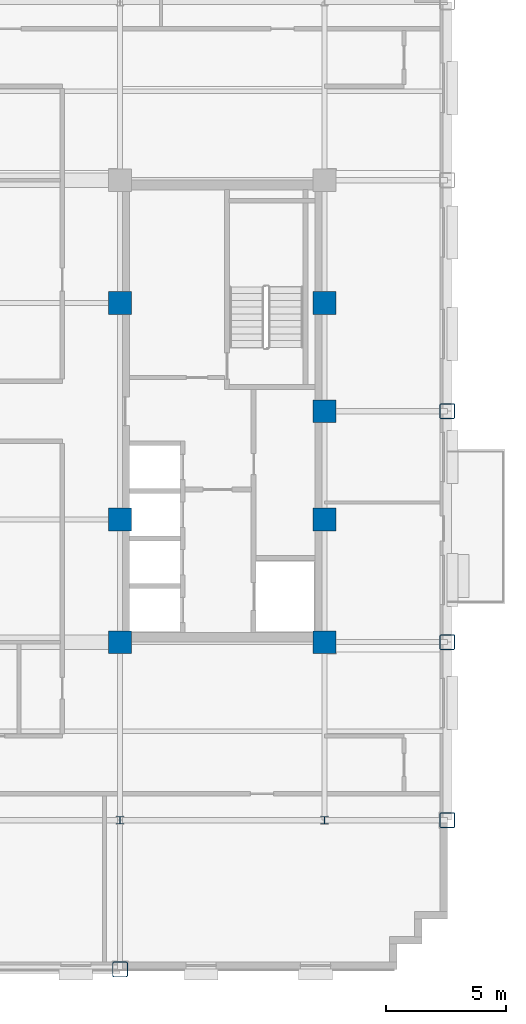
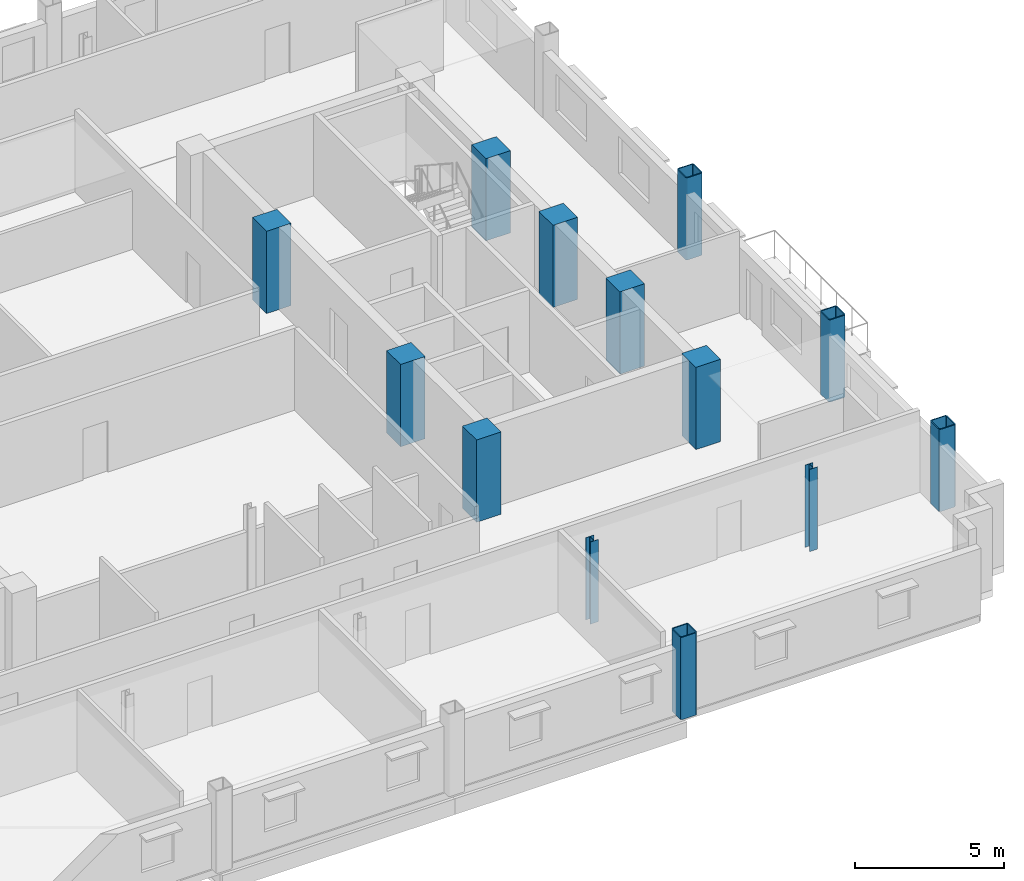
# One storey, part 2 of 14: 13 columns.
"""IFC4 building model written with IfcOpenShell, lengths in metres."""

import ifcopenshell
import ifcopenshell.guid

model = None  # the IFC model being written
_history = None  # IfcOwnerHistory: only IFC2X3 demands one
_inside = {}  # id of a spatial element -> (the spatial element, [elements in it])
_under = {}  # id of a project, library or spatial element -> (it, [spatial elements below it])
_declared = {}  # id of a project -> (the project, [libraries it declares])
_typed = {}  # id of a type object -> (the type object, [elements of that type])
_made_of = {}  # id of a material, layer set ... -> (it, [elements and type objects made of it])


def new_model(schema):
    """Start an empty IFC model of exactly this schema.

    Asked for "IFC4X3", IfcOpenShell would pick the latest addendum, in which some entities
    have other attributes; the version numbers below select the first issue.
    IFC2X3 requires an IfcOwnerHistory on every rooted entity: one is made here for all.
    """
    global model, _history
    if schema == "IFC4X3":
        model = ifcopenshell.file(schema_version=(4, 3, 0, 0))
    else:
        model = ifcopenshell.file(schema=schema)
    _inside.clear()
    _under.clear()
    _declared.clear()
    _typed.clear()
    _made_of.clear()
    _history = None
    if model.schema == "IFC2X3":
        org = make("IfcOrganization", Name="unknown")
        user = make(
            "IfcPersonAndOrganization",
            ThePerson=make("IfcPerson", FamilyName="unknown"),
            TheOrganization=org,
        )
        app = make(
            "IfcApplication",
            ApplicationDeveloper=org,
            Version="unknown",
            ApplicationFullName="unknown",
            ApplicationIdentifier="unknown",
        )
        _history = make(
            "IfcOwnerHistory",
            OwningUser=user,
            OwningApplication=app,
            ChangeAction="ADDED",
            CreationDate=0,
        )
    return model


def make(cls, **values):
    """One entity of the class cls with the attributes given. An attribute that is None is left unset."""
    return model.create_entity(
        cls, **{name: value for name, value in values.items() if value is not None}
    )


def rooted(cls, **values):
    """An entity with a GlobalId (a new one), such as an element, a storey or a relation."""
    return make(cls, GlobalId=ifcopenshell.guid.new(), OwnerHistory=_history, **values)


def si_unit(unit_type, name, prefix=None):
    """IfcSIUnit, for example si_unit("LENGTHUNIT", "METRE", prefix="MILLI")."""
    return make("IfcSIUnit", UnitType=unit_type, Prefix=prefix, Name=name)


def assignment(units):
    """IfcUnitAssignment: the units of a project."""
    return None if units is None else make("IfcUnitAssignment", Units=units)


def point(xyz):
    """IfcCartesianPoint."""
    return None if xyz is None else make("IfcCartesianPoint", Coordinates=xyz)


def direction(xyz):
    """IfcDirection."""
    return None if xyz is None else make("IfcDirection", DirectionRatios=xyz)


def frame(location, z_axis=None, x_axis=None):
    """IfcAxis2Placement3D, a coordinate frame: its origin and axes. An axis left out is left unset."""
    return make(
        "IfcAxis2Placement3D",
        Location=point(location),
        Axis=direction(z_axis),
        RefDirection=direction(x_axis),
    )


def frame_2d(location, x_axis=None):
    """IfcAxis2Placement2D, a coordinate frame in the plane: its origin and x axis."""
    return make(
        "IfcAxis2Placement2D", Location=point(location), RefDirection=direction(x_axis)
    )


def origin():
    """The frame at (0, 0, 0) with its axes left unset."""
    return frame((0.0, 0.0, 0.0))


def origin_2d():
    """The frame at (0, 0) in the plane with its x axis left unset."""
    return frame_2d((0.0, 0.0))


def place(relative_to, where):
    """IfcLocalPlacement: puts the frame where relative to a parent placement (None: the world)."""
    return make(
        "IfcLocalPlacement", PlacementRelTo=relative_to, RelativePlacement=where
    )


def context(
    kind, dimensions, precision=None, world=None, true_north=None, identifier=None
):
    """IfcGeometricRepresentationContext, for example the 3D "Model" context."""
    return make(
        "IfcGeometricRepresentationContext",
        ContextIdentifier=identifier,
        ContextType=kind,
        CoordinateSpaceDimension=dimensions,
        Precision=precision,
        WorldCoordinateSystem=world,
        TrueNorth=true_north,
    )


def subcontext(parent, identifier, kind, view, scale=None):
    """IfcGeometricRepresentationSubContext, for example "Body" below "Model"."""
    return make(
        "IfcGeometricRepresentationSubContext",
        ContextIdentifier=identifier,
        ContextType=kind,
        ParentContext=parent,
        TargetScale=scale,
        TargetView=view,
    )


def project(units=None, contexts=None):
    """IfcProject with its units and contexts."""
    return rooted(
        "IfcProject",
        Name="project",
        RepresentationContexts=contexts,
        UnitsInContext=assignment(units),
    )


def spatial(cls, under=None, at=None, **own):
    """A site, building, storey or space (cls), placed at a placement, below another one or the project."""
    s = rooted(cls, ObjectPlacement=at, **own)
    if under is not None:
        _under.setdefault(under.id(), (under, []))[1].append(s)
    return s


def profile(cls, at=None, kind="AREA", **sizes):
    """A parametric profile (cls). Its sizes go by their IFC names, for example OverallWidth=200.0."""
    return make(cls, ProfileType=kind, Position=at, **sizes)


def rectangle(**sizes):
    """IfcRectangleProfileDef."""
    return profile("IfcRectangleProfileDef", **sizes)


def hollow_rectangle(**sizes):
    """IfcRectangleHollowProfileDef."""
    return profile("IfcRectangleHollowProfileDef", **sizes)


def i_section(**sizes):
    """IfcIShapeProfileDef."""
    return profile("IfcIShapeProfileDef", **sizes)


def extrude(swept, where, along, depth):
    """IfcExtrudedAreaSolid: the profile swept, set in the frame where, extruded along a direction by depth."""
    return make(
        "IfcExtrudedAreaSolid",
        SweptArea=swept,
        Position=where,
        ExtrudedDirection=direction(along),
        Depth=depth,
    )


def shape(context_of_items, identifier, shape_type, items):
    """IfcShapeRepresentation: the items that make up one representation, for example the "Body"."""
    return make(
        "IfcShapeRepresentation",
        ContextOfItems=context_of_items,
        RepresentationIdentifier=identifier,
        RepresentationType=shape_type,
        Items=items,
    )


def material(Name=None, Category=None):
    """IfcMaterial."""
    return make("IfcMaterial", Name=Name, Category=Category)


def material_profile(
    of_material, cross_section, Name=None, Category=None, Priority=None
):
    """IfcMaterialProfile: a cross section and its material."""
    return make(
        "IfcMaterialProfile",
        Name=Name,
        Material=of_material,
        Profile=cross_section,
        Priority=Priority,
        Category=Category,
    )


def profile_set(profiles, Name=None, composite=None):
    """IfcMaterialProfileSet."""
    return make(
        "IfcMaterialProfileSet",
        Name=Name,
        MaterialProfiles=profiles,
        CompositeProfile=composite,
    )


def made_of(thing, what):
    """Note that an element or type object is made of a material, layer set ...; save() writes the relation."""
    if what is not None:
        _made_of.setdefault(what.id(), (what, []))[1].append(thing)
    return thing


def type_object(cls, material=None, **own):
    """A type object (cls), such as IfcWallType, which elements share."""
    return made_of(rooted(cls, **own), material)


def element(
    cls,
    number,
    at=None,
    inside=None,
    cuts=None,
    type_object=None,
    material=None,
    context=None,
    identifier="Body",
    shape_type=None,
    held_by="IfcProductDefinitionShape",
    body=None,
    shapes=None,
    **own,
):
    """One element of the class cls, such as IfcWall. Its Tag is "e" and its number.

    at: its placement. inside: the storey or other place that contains it. cuts: it is an
    opening in that element (IfcRelVoidsElement). A single representation is given by context,
    identifier, shape_type and body (its items); several are given by shapes. held_by: the class
    of the entity that holds the representations. save() writes the other relations.
    """
    e = rooted(cls, Tag="e%d" % number, ObjectPlacement=at, **own)
    if body is not None:
        shapes = [shape(context, identifier, shape_type, body)]
    if shapes is not None:
        e.Representation = make(held_by, Representations=shapes)
    if inside is not None:
        _inside.setdefault(inside.id(), (inside, []))[1].append(e)
    if cuts is not None:
        rooted(
            "IfcRelVoidsElement", RelatingBuildingElement=cuts, RelatedOpeningElement=e
        )
    if type_object is not None:
        _typed.setdefault(type_object.id(), (type_object, []))[1].append(e)
    return made_of(e, material)


def aggregate(whole, parts):
    """IfcRelAggregates: a whole, such as a stair, and the parts it consists of."""
    return rooted("IfcRelAggregates", RelatingObject=whole, RelatedObjects=parts)


def save(model, path):
    """Write the relations noted so far, then the file.

    IfcRelAggregates (storeys below a building ...), IfcRelContainedInSpatialStructure (elements
    in a storey), IfcRelDefinesByType, IfcRelAssociatesMaterial and IfcRelDeclares: one each for
    every whole, place, type object, material and project.
    """
    for whole, parts in _under.values():
        aggregate(whole, parts)
    for where, things in _inside.values():
        rooted(
            "IfcRelContainedInSpatialStructure",
            RelatedElements=things,
            RelatingStructure=where,
        )
    for kind, things in _typed.values():
        rooted("IfcRelDefinesByType", RelatedObjects=things, RelatingType=kind)
    for what, things in _made_of.values():
        rooted("IfcRelAssociatesMaterial", RelatedObjects=things, RelatingMaterial=what)
    for by, libraries in _declared.values():
        rooted("IfcRelDeclares", RelatingContext=by, RelatedDefinitions=libraries)
    model.write(path)


model = new_model("IFC4")

# Units and contexts
model_context = context("Model", 3, precision=1e-05, world=origin(), true_north=direction((0.0, 1.0)))
body_context = subcontext(model_context, "Body", "Model", "MODEL_VIEW")
ifc_project = project(units=[si_unit("LENGTHUNIT", "METRE"), si_unit("AREAUNIT", "SQUARE_METRE"), si_unit("VOLUMEUNIT", "CUBIC_METRE"), si_unit("PLANEANGLEUNIT", "RADIAN"), si_unit("MASSUNIT", "GRAM", prefix="KILO")], contexts=[model_context])

# Site, building, storey
site_placement = place(None, origin())
site = spatial("IfcSite", under=ifc_project, at=site_placement, CompositionType="ELEMENT")
building_placement = place(site_placement, origin())
building = spatial("IfcBuilding", under=site, at=building_placement, Name="Nuvemarco Arch Tower", CompositionType="ELEMENT")
storey_placement = place(building_placement, frame((0.0, 0.0, 178.60009765625)))
storey = spatial("IfcBuildingStorey", under=building, at=storey_placement, Name="L47", CompositionType="ELEMENT", Elevation=178.60009765625)

# Columns
ifc_material_1 = material(Name="Concrete C50/60", Category="concrete")
ifc_material_profile_1 = material_profile(ifc_material_1, rectangle(XDim=0.949951171875, YDim=0.949951171875, at=origin_2d()), Name="RC-COL-950x950")
ifc_profile_set_1 = profile_set([ifc_material_profile_1], Name="Concrete C50/60")
column_type_1 = type_object("IfcColumnType", Name="COL-CORE-950", PredefinedType="COLUMN", material=ifc_profile_set_1)
for number, where, z_axis, x_axis, name in (
    (1, (9.0, -9.60009765625, 0.0), (0.0, 0.0, 1.0), (1.0, 0.0, 0.0), "L47 column CC_+9.0_-9.6"),
    (2, (9.0, -4.5, 0.0), (0.0, 0.0, 1.0), (1.0, 0.0, 0.0), "L47 column CC_+9.0_-4.5"),
    (3, (9.0, 4.5, 0.0), (0.0, 0.0, 1.0), (1.0, 0.0, 0.0), "L47 column CC_+9.0_+4.5"),
    (4, (17.5, -9.60009765625, 0.0), (0.0, 0.0, 1.0), (1.0, 0.0, 0.0), "L47 column CC_+17.5_-9.6"),
    (5, (17.5, -4.5, 0.0), (0.0, 0.0, 1.0), (1.0, 0.0, 0.0), "L47 column CC_+17.5_-4.5"),
    (6, (17.5, 4.5, 0.0), (0.0, 0.0, 1.0), (1.0, 0.0, 0.0), "L47 column CC_+17.5_+4.5"),
    (7, (17.5, 0.0, 0.0), (0.0, 0.0, 1.0), (1.0, 0.0, 0.0), "L47 column CC_+17.5_+0.0"),
):
    element("IfcColumn", number, at=place(storey_placement, frame(where, z_axis=z_axis, x_axis=x_axis)), inside=storey, type_object=column_type_1, Name=name, PredefinedType="COLUMN", context=body_context, shape_type="SweptSolid", body=[
        extrude(rectangle(XDim=0.949951171875, YDim=0.949951171875, at=origin_2d()), origin(), (0.0, 0.0, 1.0), 3.369873046875),
    ])
ifc_material_2 = material(Name="Steel S355", Category="steel")
ifc_material_profile_2 = material_profile(ifc_material_2, hollow_rectangle(XDim=0.64990234375, YDim=0.64990234375, WallThickness=0.0400390625, InnerFilletRadius=0.0400390625, OuterFilletRadius=0.080078125, at=origin_2d()), Name="SHS650x650x40")
ifc_profile_set_2 = profile_set([ifc_material_profile_2], Name="Steel S355")
column_type_2 = type_object("IfcColumnType", Name="COL-EXO-650", PredefinedType="COLUMN", material=ifc_profile_set_2)
for number, where, z_axis, x_axis, name in (
    (8, (22.60009765625, -17.0, 0.0), (0.0, 0.0, 1.0), (1.0, 0.0, 0.0), "L47 column CX_+22.6_-17.0"),
    (9, (22.60009765625, -9.60009765625, 0.0), (0.0, 0.0, 1.0), (1.0, 0.0, 0.0), "L47 column CX_+22.6_-9.6"),
    (10, (22.60009765625, 0.0, 0.0), (0.0, 0.0, 1.0), (1.0, 0.0, 0.0), "L47 column CX_+22.6_+0.0"),
    (11, (9.0, -23.199951171875, 0.0), (0.0, 0.0, 1.0), (1.0, 0.0, 0.0), "L47 column CY_+9.0_-23.2"),
):
    element("IfcColumn", number, at=place(storey_placement, frame(where, z_axis=z_axis, x_axis=x_axis)), inside=storey, type_object=column_type_2, Name=name, PredefinedType="COLUMN", context=body_context, shape_type="SweptSolid", body=[
        extrude(hollow_rectangle(XDim=0.64990234375, YDim=0.64990234375, WallThickness=0.0400390625, InnerFilletRadius=0.0400390625, OuterFilletRadius=0.080078125, at=origin_2d()), origin(), (0.0, 0.0, 1.0), 3.369873046875),
    ])
ifc_material_profile_3 = material_profile(ifc_material_2, i_section(OverallWidth=0.31005859375, OverallDepth=0.31005859375, WebThickness=0.015380859375, FlangeThickness=0.015380859375, FilletRadius=0.014892578125, at=origin_2d()), Name="HP310x110")
ifc_profile_set_3 = profile_set([ifc_material_profile_3], Name="Steel S355")
column_type_3 = type_object("IfcColumnType", Name="COL-STL-HP310", PredefinedType="COLUMN", material=ifc_profile_set_3)
for number, where, z_axis, x_axis, name in (
    (12, (9.0, -17.0, 0.0), (0.0, 0.0, 1.0), (1.0, 0.0, 0.0), "L47 column CI_+9.0_-17.0"),
    (13, (17.5, -17.0, 0.0), (0.0, 0.0, 1.0), (1.0, 0.0, 0.0), "L47 column CI_+17.5_-17.0"),
):
    element("IfcColumn", number, at=place(storey_placement, frame(where, z_axis=z_axis, x_axis=x_axis)), inside=storey, type_object=column_type_3, Name=name, PredefinedType="COLUMN", context=body_context, shape_type="SweptSolid", body=[
        extrude(i_section(OverallWidth=0.31005859375, OverallDepth=0.31005859375, WebThickness=0.015380859375, FlangeThickness=0.015380859375, FilletRadius=0.014892578125, at=origin_2d()), origin(), (0.0, 0.0, 1.0), 3.369873046875),
    ])

save(model, "model.ifc")
